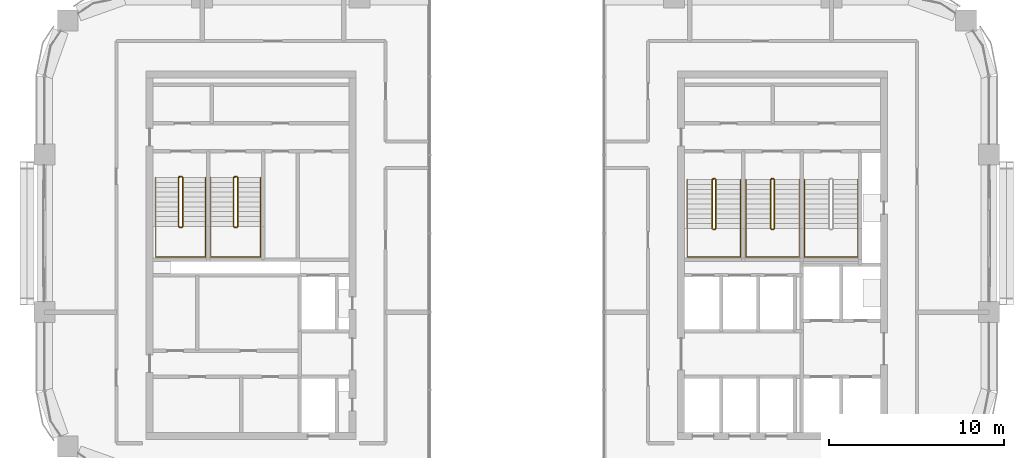
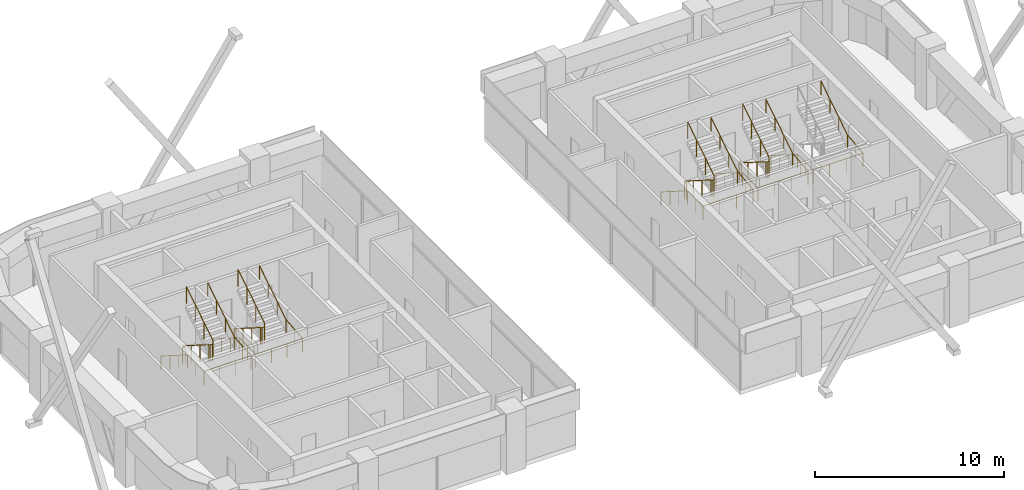
# One storey, part 13 of 14: 9 railings.
"""IFC4 building model written with IfcOpenShell, lengths in metres."""

from ifc_helpers import new_model, si_unit, direction, frame, origin, origin_2d, place, context, subcontext, project, spatial, circle, extrude, material, type_object, element, save


model = new_model("IFC4")

# Units and contexts
model_context = context("Model", 3, precision=1e-05, world=origin(), true_north=direction((0.0, 1.0)))
body_context = subcontext(model_context, "Body", "Model", "MODEL_VIEW")
ifc_project = project(units=[si_unit("LENGTHUNIT", "METRE"), si_unit("AREAUNIT", "SQUARE_METRE"), si_unit("VOLUMEUNIT", "CUBIC_METRE"), si_unit("PLANEANGLEUNIT", "RADIAN"), si_unit("MASSUNIT", "GRAM", prefix="KILO")], contexts=[model_context])

# Site, building, storey
site_placement = place(None, origin())
site = spatial("IfcSite", under=ifc_project, at=site_placement, CompositionType="ELEMENT")
building_placement = place(site_placement, origin())
building = spatial("IfcBuilding", under=site, at=building_placement, Name="Tessera Arch", CompositionType="ELEMENT")
storey_placement = place(building_placement, frame((0.0, 0.0, 215.0)))
storey = spatial("IfcBuildingStorey", under=building, at=storey_placement, Name="L51", CompositionType="ELEMENT", Elevation=215.0)

# Railings
ifc_material_1 = material(Name="Painted steel balustrade", Category="steel")
railing_type_1 = type_object("IfcRailingType", Name="Stair guard 1100", PredefinedType="GUARDRAIL", material=ifc_material_1)
railing_1_placement = place(storey_placement, frame((38.219970703125, 43.6298828125, 0.0)))
element("IfcRailing", 1, at=railing_1_placement, inside=storey, type_object=railing_type_1, Name="L51 S1a stair guard 1", PredefinedType="GUARDRAIL", context=body_context, shape_type="SweptSolid", body=[
    extrude(circle(Radius=0.02392578125, at=origin_2d()), frame((-0.00390625, 0.0, 1.076171875), z_axis=(1.0, 0.0, 0.0), x_axis=(0.0, 1.0, 0.0)), (0.0, 0.0, 1.0), 0.1181640625),
    extrude(circle(Radius=0.02392578125, at=origin_2d()), frame((0.11279296875, 0.000732421875, 1.0732421875), z_axis=(-0.656319048605, -0.204099216335, 0.726353093426), x_axis=(0.296948579431, -0.954893471113, 0.0)), (0.0, 0.0, 1.0), 0.251953125),
    extrude(circle(Radius=0.02392578125, at=origin_2d()), frame((-0.050048828125, -0.04638671875, 1.251220703125), z_axis=(0.0, -0.844908973607, 0.534910110503), x_axis=(1.0, 0.0, 0.0)), (0.0, 0.0, 1.0), 3.322021484375),
    extrude(circle(Radius=0.02392578125, at=origin_2d()), frame((-0.052978515625, -2.846923828125, 3.02587890625), z_axis=(0.707106781187, -0.707106781187, 0.0), x_axis=(0.707106781187, 0.707106781187, 0.0)), (0.0, 0.0, 1.0), 0.078857421875),
    extrude(circle(Radius=0.02392578125, at=origin_2d()), frame((-0.00390625, -2.89990234375, 3.02587890625), z_axis=(1.0, 0.0, 0.0), x_axis=(0.0, 1.0, 0.0)), (0.0, 0.0, 1.0), 0.1181640625),
    extrude(circle(Radius=0.02392578125, at=origin_2d()), frame((0.109130859375, -2.90087890625, 3.022216796875), z_axis=(0.261041864531, 0.262321481514, 0.929001929653), x_axis=(-0.708833529934, 0.705375805398, 0.0)), (0.0, 0.0, 1.0), 0.19873046875),
    extrude(circle(Radius=0.02392578125, at=origin_2d()), frame((0.159912109375, -2.853271484375, 3.201171875), z_axis=(0.0, 0.844908973607, 0.534910110503), x_axis=(-1.0, 0.0, 0.0)), (0.0, 0.0, 1.0), 3.322021484375),
    extrude(circle(Radius=0.02099609375, at=origin_2d()), origin(), (0.0, 0.0, 1.0), 1.06396484375),
    extrude(circle(Radius=0.02099609375, at=origin_2d()), frame((0.110107421875, 0.0, 0.0)), (0.0, 0.0, 1.0), 1.06396484375),
    extrude(circle(Radius=0.02099609375, at=origin_2d()), frame((-0.050048828125, -0.0498046875, 0.17724609375)), (0.0, 0.0, 1.0), 1.06396484375),
    extrude(circle(Radius=0.02099609375, at=origin_2d()), frame((-0.050048828125, -0.983154296875, 0.76806640625)), (0.0, 0.0, 1.0), 1.06396484375),
    extrude(circle(Radius=0.02099609375, at=origin_2d()), frame((-0.050048828125, -1.91650390625, 1.359130859375)), (0.0, 0.0, 1.0), 1.06396484375),
    extrude(circle(Radius=0.02099609375, at=origin_2d()), frame((-0.050048828125, -2.849853515625, 1.949951171875)), (0.0, 0.0, 1.0), 1.06396484375),
    extrude(circle(Radius=0.02099609375, at=origin_2d()), frame((0.0, -2.89990234375, 1.949951171875)), (0.0, 0.0, 1.0), 1.06396484375),
    extrude(circle(Radius=0.02099609375, at=origin_2d()), frame((0.110107421875, -2.89990234375, 1.949951171875)), (0.0, 0.0, 1.0), 1.06396484375),
    extrude(circle(Radius=0.02099609375, at=origin_2d()), frame((0.159912109375, -2.849853515625, 2.127197265625)), (0.0, 0.0, 1.0), 1.06396484375),
    extrude(circle(Radius=0.02099609375, at=origin_2d()), frame((0.159912109375, -1.91650390625, 2.718017578125)), (0.0, 0.0, 1.0), 1.06396484375),
    extrude(circle(Radius=0.02099609375, at=origin_2d()), frame((0.159912109375, -0.983154296875, 3.30908203125)), (0.0, 0.0, 1.0), 1.06396484375),
    extrude(circle(Radius=0.02099609375, at=origin_2d()), frame((0.159912109375, -0.0498046875, 3.89990234375)), (0.0, 0.0, 1.0), 1.06396484375),
])
railing_2_placement = place(storey_placement, frame((41.570068359375, 43.6298828125, 0.0)))
element("IfcRailing", 2, at=railing_2_placement, inside=storey, type_object=railing_type_1, Name="L51 S1b stair guard 1", PredefinedType="GUARDRAIL", context=body_context, shape_type="SweptSolid", body=[
    extrude(circle(Radius=0.02392578125, at=origin_2d()), frame((-0.00390625, 0.0, 1.076171875), z_axis=(1.0, 0.0, 0.0), x_axis=(0.0, 1.0, 0.0)), (0.0, 0.0, 1.0), 0.117919921875),
    extrude(circle(Radius=0.02392578125, at=origin_2d()), frame((0.112548828125, 0.000732421875, 1.0732421875), z_axis=(-0.65574896516, -0.204233265485, 0.726830150696), x_axis=(0.297361876254, -0.954764847777, 0.0)), (0.0, 0.0, 1.0), 0.251953125),
    extrude(circle(Radius=0.02392578125, at=origin_2d()), frame((-0.050048828125, -0.04638671875, 1.251220703125), z_axis=(0.0, -0.844908973607, 0.534910110503), x_axis=(1.0, 0.0, 0.0)), (0.0, 0.0, 1.0), 3.322021484375),
    extrude(circle(Radius=0.02392578125, at=origin_2d()), frame((-0.052978515625, -2.846923828125, 3.02587890625), z_axis=(0.707106781187, -0.707106781187, 0.0), x_axis=(0.707106781187, 0.707106781187, 0.0)), (0.0, 0.0, 1.0), 0.078857421875),
    extrude(circle(Radius=0.02392578125, at=origin_2d()), frame((-0.00390625, -2.89990234375, 3.02587890625), z_axis=(1.0, 0.0, 0.0), x_axis=(0.0, 1.0, 0.0)), (0.0, 0.0, 1.0), 0.117919921875),
    extrude(circle(Radius=0.02392578125, at=origin_2d()), frame((0.10888671875, -2.90087890625, 3.022216796875), z_axis=(0.262233686654, 0.262233686654, 0.928691007369), x_axis=(-0.707106781187, 0.707106781187, 0.0)), (0.0, 0.0, 1.0), 0.198974609375),
    extrude(circle(Radius=0.02392578125, at=origin_2d()), frame((0.159912109375, -2.853271484375, 3.201171875), z_axis=(0.0, 0.844908973607, 0.534910110503), x_axis=(-1.0, 0.0, 0.0)), (0.0, 0.0, 1.0), 3.322021484375),
    extrude(circle(Radius=0.02099609375, at=origin_2d()), origin(), (0.0, 0.0, 1.0), 1.06396484375),
    extrude(circle(Radius=0.02099609375, at=origin_2d()), frame((0.10986328125, 0.0, 0.0)), (0.0, 0.0, 1.0), 1.06396484375),
    extrude(circle(Radius=0.02099609375, at=origin_2d()), frame((-0.050048828125, -0.0498046875, 0.17724609375)), (0.0, 0.0, 1.0), 1.06396484375),
    extrude(circle(Radius=0.02099609375, at=origin_2d()), frame((-0.050048828125, -0.983154296875, 0.76806640625)), (0.0, 0.0, 1.0), 1.06396484375),
    extrude(circle(Radius=0.02099609375, at=origin_2d()), frame((-0.050048828125, -1.91650390625, 1.359130859375)), (0.0, 0.0, 1.0), 1.06396484375),
    extrude(circle(Radius=0.02099609375, at=origin_2d()), frame((-0.050048828125, -2.849853515625, 1.949951171875)), (0.0, 0.0, 1.0), 1.06396484375),
    extrude(circle(Radius=0.02099609375, at=origin_2d()), frame((0.0, -2.89990234375, 1.949951171875)), (0.0, 0.0, 1.0), 1.06396484375),
    extrude(circle(Radius=0.02099609375, at=origin_2d()), frame((0.10986328125, -2.89990234375, 1.949951171875)), (0.0, 0.0, 1.0), 1.06396484375),
    extrude(circle(Radius=0.02099609375, at=origin_2d()), frame((0.159912109375, -2.849853515625, 2.127197265625)), (0.0, 0.0, 1.0), 1.06396484375),
    extrude(circle(Radius=0.02099609375, at=origin_2d()), frame((0.159912109375, -1.91650390625, 2.718017578125)), (0.0, 0.0, 1.0), 1.06396484375),
    extrude(circle(Radius=0.02099609375, at=origin_2d()), frame((0.159912109375, -0.983154296875, 3.30908203125)), (0.0, 0.0, 1.0), 1.06396484375),
    extrude(circle(Radius=0.02099609375, at=origin_2d()), frame((0.159912109375, -0.0498046875, 3.89990234375)), (0.0, 0.0, 1.0), 1.06396484375),
])
railing_3_placement = place(storey_placement, frame((7.699951171875, 43.75, 0.0)))
element("IfcRailing", 3, at=railing_3_placement, inside=storey, type_object=railing_type_1, Name="L51 S2a stair guard 1", PredefinedType="GUARDRAIL", context=body_context, shape_type="SweptSolid", body=[
    extrude(circle(Radius=0.02392578125, at=origin_2d()), frame((-0.00390625, 0.0, 1.076171875), z_axis=(1.0, 0.0, 0.0), x_axis=(0.0, 1.0, 0.0)), (0.0, 0.0, 1.0), 0.158203125),
    extrude(circle(Radius=0.02392578125, at=origin_2d()), frame((0.153076171875, 0.000732421875, 1.073486328125), z_axis=(-0.735936453418, -0.183984113355, 0.651573006319), x_axis=(0.242535625036, -0.970142500145, 0.0)), (0.0, 0.0, 1.0), 0.280029296875),
    extrude(circle(Radius=0.02392578125, at=origin_2d()), frame((-0.050048828125, -0.046630859375, 1.251220703125), z_axis=(0.0, -0.844908973607, 0.534910110503), x_axis=(1.0, 0.0, 0.0)), (0.0, 0.0, 1.0), 3.322021484375),
    extrude(circle(Radius=0.02392578125, at=origin_2d()), frame((-0.052978515625, -2.84716796875, 3.02587890625), z_axis=(0.708833529934, -0.705375805398, 0.0), x_axis=(0.705375805398, 0.708833529934, 0.0)), (0.0, 0.0, 1.0), 0.07861328125),
    extrude(circle(Radius=0.02392578125, at=origin_2d()), frame((-0.00390625, -2.89990234375, 3.02587890625), z_axis=(1.0, 0.0, 0.0), x_axis=(0.0, 1.0, 0.0)), (0.0, 0.0, 1.0), 0.158203125),
    extrude(circle(Radius=0.02392578125, at=origin_2d()), frame((0.149169921875, -2.90087890625, 3.022216796875), z_axis=(0.261129318932, 0.261129318932, 0.929313164433), x_axis=(-0.707106781187, 0.707106781187, 0.0)), (0.0, 0.0, 1.0), 0.19873046875),
    extrude(circle(Radius=0.02392578125, at=origin_2d()), frame((0.199951171875, -2.853515625, 3.201171875), z_axis=(0.0, 0.844908973607, 0.534910110503), x_axis=(-1.0, 0.0, 0.0)), (0.0, 0.0, 1.0), 3.322021484375),
    extrude(circle(Radius=0.02099609375, at=origin_2d()), origin(), (0.0, 0.0, 1.0), 1.06396484375),
    extrude(circle(Radius=0.02099609375, at=origin_2d()), frame((0.150146484375, 0.0, 0.0)), (0.0, 0.0, 1.0), 1.06396484375),
    extrude(circle(Radius=0.02099609375, at=origin_2d()), frame((-0.050048828125, -0.050048828125, 0.17724609375)), (0.0, 0.0, 1.0), 1.06396484375),
    extrude(circle(Radius=0.02099609375, at=origin_2d()), frame((-0.050048828125, -0.9833984375, 0.76806640625)), (0.0, 0.0, 1.0), 1.06396484375),
    extrude(circle(Radius=0.02099609375, at=origin_2d()), frame((-0.050048828125, -1.916748046875, 1.359130859375)), (0.0, 0.0, 1.0), 1.06396484375),
    extrude(circle(Radius=0.02099609375, at=origin_2d()), frame((-0.050048828125, -2.85009765625, 1.949951171875)), (0.0, 0.0, 1.0), 1.06396484375),
    extrude(circle(Radius=0.02099609375, at=origin_2d()), frame((0.0, -2.89990234375, 1.949951171875)), (0.0, 0.0, 1.0), 1.06396484375),
    extrude(circle(Radius=0.02099609375, at=origin_2d()), frame((0.150146484375, -2.89990234375, 1.949951171875)), (0.0, 0.0, 1.0), 1.06396484375),
    extrude(circle(Radius=0.02099609375, at=origin_2d()), frame((0.199951171875, -2.85009765625, 2.127197265625)), (0.0, 0.0, 1.0), 1.06396484375),
    extrude(circle(Radius=0.02099609375, at=origin_2d()), frame((0.199951171875, -1.916748046875, 2.718017578125)), (0.0, 0.0, 1.0), 1.06396484375),
    extrude(circle(Radius=0.02099609375, at=origin_2d()), frame((0.199951171875, -0.9833984375, 3.30908203125)), (0.0, 0.0, 1.0), 1.06396484375),
    extrude(circle(Radius=0.02099609375, at=origin_2d()), frame((0.199951171875, -0.050048828125, 3.89990234375)), (0.0, 0.0, 1.0), 1.06396484375),
])
railing_4_placement = place(storey_placement, frame((10.85009765625, 43.75, 0.0)))
element("IfcRailing", 4, at=railing_4_placement, inside=storey, type_object=railing_type_1, Name="L51 S2b stair guard 1", PredefinedType="GUARDRAIL", context=body_context, shape_type="SweptSolid", body=[
    extrude(circle(Radius=0.02392578125, at=origin_2d()), frame((-0.00390625, 0.0, 1.076171875), z_axis=(1.0, 0.0, 0.0), x_axis=(0.0, 1.0, 0.0)), (0.0, 0.0, 1.0), 0.157958984375),
    extrude(circle(Radius=0.02392578125, at=origin_2d()), frame((0.15283203125, 0.000732421875, 1.073486328125), z_axis=(-0.735524641326, -0.184105679453, 0.652003528208), x_axis=(0.242814311512, -0.970072785993, 0.0)), (0.0, 0.0, 1.0), 0.27978515625),
    extrude(circle(Radius=0.02392578125, at=origin_2d()), frame((-0.050048828125, -0.046630859375, 1.251220703125), z_axis=(0.0, -0.844908973607, 0.534910110503), x_axis=(1.0, 0.0, 0.0)), (0.0, 0.0, 1.0), 3.322021484375),
    extrude(circle(Radius=0.02392578125, at=origin_2d()), frame((-0.052978515625, -2.84716796875, 3.02587890625), z_axis=(0.708833529934, -0.705375805398, 0.0), x_axis=(0.705375805398, 0.708833529934, 0.0)), (0.0, 0.0, 1.0), 0.07861328125),
    extrude(circle(Radius=0.02392578125, at=origin_2d()), frame((-0.00390625, -2.89990234375, 3.02587890625), z_axis=(1.0, 0.0, 0.0), x_axis=(0.0, 1.0, 0.0)), (0.0, 0.0, 1.0), 0.157958984375),
    extrude(circle(Radius=0.02392578125, at=origin_2d()), frame((0.14892578125, -2.90087890625, 3.022216796875), z_axis=(0.262321481514, 0.261041864531, 0.929001929653), x_axis=(-0.705375805398, 0.708833529934, 0.0)), (0.0, 0.0, 1.0), 0.19873046875),
    extrude(circle(Radius=0.02392578125, at=origin_2d()), frame((0.199951171875, -2.853515625, 3.201171875), z_axis=(0.0, 0.844908973607, 0.534910110503), x_axis=(-1.0, 0.0, 0.0)), (0.0, 0.0, 1.0), 3.322021484375),
    extrude(circle(Radius=0.02099609375, at=origin_2d()), origin(), (0.0, 0.0, 1.0), 1.06396484375),
    extrude(circle(Radius=0.02099609375, at=origin_2d()), frame((0.14990234375, 0.0, 0.0)), (0.0, 0.0, 1.0), 1.06396484375),
    extrude(circle(Radius=0.02099609375, at=origin_2d()), frame((-0.050048828125, -0.050048828125, 0.17724609375)), (0.0, 0.0, 1.0), 1.06396484375),
    extrude(circle(Radius=0.02099609375, at=origin_2d()), frame((-0.050048828125, -0.9833984375, 0.76806640625)), (0.0, 0.0, 1.0), 1.06396484375),
    extrude(circle(Radius=0.02099609375, at=origin_2d()), frame((-0.050048828125, -1.916748046875, 1.359130859375)), (0.0, 0.0, 1.0), 1.06396484375),
    extrude(circle(Radius=0.02099609375, at=origin_2d()), frame((-0.050048828125, -2.85009765625, 1.949951171875)), (0.0, 0.0, 1.0), 1.06396484375),
    extrude(circle(Radius=0.02099609375, at=origin_2d()), frame((0.0, -2.89990234375, 1.949951171875)), (0.0, 0.0, 1.0), 1.06396484375),
    extrude(circle(Radius=0.02099609375, at=origin_2d()), frame((0.14990234375, -2.89990234375, 1.949951171875)), (0.0, 0.0, 1.0), 1.06396484375),
    extrude(circle(Radius=0.02099609375, at=origin_2d()), frame((0.199951171875, -2.85009765625, 2.127197265625)), (0.0, 0.0, 1.0), 1.06396484375),
    extrude(circle(Radius=0.02099609375, at=origin_2d()), frame((0.199951171875, -1.916748046875, 2.718017578125)), (0.0, 0.0, 1.0), 1.06396484375),
    extrude(circle(Radius=0.02099609375, at=origin_2d()), frame((0.199951171875, -0.9833984375, 3.30908203125)), (0.0, 0.0, 1.0), 1.06396484375),
    extrude(circle(Radius=0.02099609375, at=origin_2d()), frame((0.199951171875, -0.050048828125, 3.89990234375)), (0.0, 0.0, 1.0), 1.06396484375),
])
ifc_material_2 = material(Name="Painted steel handrail", Category="steel")
railing_type_2 = type_object("IfcRailingType", Name="Stair handrail 900", PredefinedType="HANDRAIL", material=ifc_material_2)
railing_5_placement = place(storey_placement, frame((36.75, 43.580078125, 0.17724609375)))
element("IfcRailing", 5, at=railing_5_placement, inside=storey, type_object=railing_type_2, Name="L51 S1a stair handrail", PredefinedType="HANDRAIL", context=body_context, shape_type="SweptSolid", body=[
    extrude(circle(Radius=0.02392578125, at=origin_2d()), frame((0.0, 0.00341796875, 0.873779296875), z_axis=(0.0, -0.844908973607, 0.534910110503), x_axis=(1.0, 0.0, 0.0)), (0.0, 0.0, 1.0), 3.322021484375),
    extrude(circle(Radius=0.02392578125, at=origin_2d()), frame((0.0, -2.796142578125, 2.6484375), z_axis=(0.0, -1.0, 0.0), x_axis=(1.0, 0.0, 0.0)), (0.0, 0.0, 1.0), 1.63818359375),
    extrude(circle(Radius=0.02392578125, at=origin_2d()), frame((-0.00390625, -4.43017578125, 2.6484375), z_axis=(1.0, 0.0, 0.0), x_axis=(0.0, 1.0, 0.0)), (0.0, 0.0, 1.0), 3.05810546875),
    extrude(circle(Radius=0.02392578125, at=origin_2d()), frame((3.050048828125, -4.43408203125, 2.648193359375), z_axis=(0.0, 0.994140637614, 0.108094369164), x_axis=(-1.0, 0.0, 0.0)), (0.0, 0.0, 1.0), 1.647705078125),
    extrude(circle(Radius=0.02392578125, at=origin_2d()), frame((3.050048828125, -2.803466796875, 2.82373046875), z_axis=(0.0, 0.844908973607, 0.534910110503), x_axis=(-1.0, 0.0, 0.0)), (0.0, 0.0, 1.0), 3.322021484375),
    extrude(circle(Radius=0.02099609375, at=origin_2d()), origin(), (0.0, 0.0, 1.0), 0.86376953125),
    extrude(circle(Radius=0.02099609375, at=origin_2d()), frame((0.0, -0.933349609375, 0.5908203125)), (0.0, 0.0, 1.0), 0.86376953125),
    extrude(circle(Radius=0.02099609375, at=origin_2d()), frame((0.0, -1.86669921875, 1.181884765625)), (0.0, 0.0, 1.0), 0.86376953125),
    extrude(circle(Radius=0.02099609375, at=origin_2d()), frame((0.0, -2.800048828125, 1.772705078125)), (0.0, 0.0, 1.0), 0.86376953125),
    extrude(circle(Radius=0.02099609375, at=origin_2d()), frame((0.0, -3.615234375, 1.772705078125)), (0.0, 0.0, 1.0), 0.86376953125),
    extrude(circle(Radius=0.02099609375, at=origin_2d()), frame((0.0, -4.43017578125, 1.772705078125)), (0.0, 0.0, 1.0), 0.86376953125),
    extrude(circle(Radius=0.02099609375, at=origin_2d()), frame((1.0166015625, -4.43017578125, 1.772705078125)), (0.0, 0.0, 1.0), 0.86376953125),
    extrude(circle(Radius=0.02099609375, at=origin_2d()), frame((2.033447265625, -4.43017578125, 1.772705078125)), (0.0, 0.0, 1.0), 0.86376953125),
    extrude(circle(Radius=0.02099609375, at=origin_2d()), frame((3.050048828125, -4.43017578125, 1.772705078125)), (0.0, 0.0, 1.0), 0.86376953125),
    extrude(circle(Radius=0.02099609375, at=origin_2d()), frame((3.050048828125, -3.615234375, 1.861328125)), (0.0, 0.0, 1.0), 0.86376953125),
    extrude(circle(Radius=0.02099609375, at=origin_2d()), frame((3.050048828125, -2.800048828125, 1.949951171875)), (0.0, 0.0, 1.0), 0.86376953125),
    extrude(circle(Radius=0.02099609375, at=origin_2d()), frame((3.050048828125, -1.86669921875, 2.540771484375)), (0.0, 0.0, 1.0), 0.86376953125),
    extrude(circle(Radius=0.02099609375, at=origin_2d()), frame((3.050048828125, -0.933349609375, 3.1318359375)), (0.0, 0.0, 1.0), 0.86376953125),
    extrude(circle(Radius=0.02099609375, at=origin_2d()), frame((3.050048828125, 0.0, 3.72265625)), (0.0, 0.0, 1.0), 0.86376953125),
])
railing_6_placement = place(storey_placement, frame((40.10009765625, 43.580078125, 0.17724609375)))
element("IfcRailing", 6, at=railing_6_placement, inside=storey, type_object=railing_type_2, Name="L51 S1b stair handrail", PredefinedType="HANDRAIL", context=body_context, shape_type="SweptSolid", body=[
    extrude(circle(Radius=0.02392578125, at=origin_2d()), frame((0.0, 0.00341796875, 0.873779296875), z_axis=(0.0, -0.844908973607, 0.534910110503), x_axis=(1.0, 0.0, 0.0)), (0.0, 0.0, 1.0), 3.322021484375),
    extrude(circle(Radius=0.02392578125, at=origin_2d()), frame((0.0, -2.796142578125, 2.6484375), z_axis=(0.0, -1.0, 0.0), x_axis=(1.0, 0.0, 0.0)), (0.0, 0.0, 1.0), 1.63818359375),
    extrude(circle(Radius=0.02392578125, at=origin_2d()), frame((-0.00390625, -4.43017578125, 2.6484375), z_axis=(1.0, 0.0, 0.0), x_axis=(0.0, 1.0, 0.0)), (0.0, 0.0, 1.0), 3.057861328125),
    extrude(circle(Radius=0.02392578125, at=origin_2d()), frame((3.0498046875, -4.43408203125, 2.648193359375), z_axis=(0.0, 0.994140637614, 0.108094369164), x_axis=(-1.0, 0.0, 0.0)), (0.0, 0.0, 1.0), 1.647705078125),
    extrude(circle(Radius=0.02392578125, at=origin_2d()), frame((3.0498046875, -2.803466796875, 2.82373046875), z_axis=(0.0, 0.844908973607, 0.534910110503), x_axis=(-1.0, 0.0, 0.0)), (0.0, 0.0, 1.0), 3.322021484375),
    extrude(circle(Radius=0.02099609375, at=origin_2d()), origin(), (0.0, 0.0, 1.0), 0.86376953125),
    extrude(circle(Radius=0.02099609375, at=origin_2d()), frame((0.0, -0.933349609375, 0.5908203125)), (0.0, 0.0, 1.0), 0.86376953125),
    extrude(circle(Radius=0.02099609375, at=origin_2d()), frame((0.0, -1.86669921875, 1.181884765625)), (0.0, 0.0, 1.0), 0.86376953125),
    extrude(circle(Radius=0.02099609375, at=origin_2d()), frame((0.0, -2.800048828125, 1.772705078125)), (0.0, 0.0, 1.0), 0.86376953125),
    extrude(circle(Radius=0.02099609375, at=origin_2d()), frame((0.0, -3.615234375, 1.772705078125)), (0.0, 0.0, 1.0), 0.86376953125),
    extrude(circle(Radius=0.02099609375, at=origin_2d()), frame((0.0, -4.43017578125, 1.772705078125)), (0.0, 0.0, 1.0), 0.86376953125),
    extrude(circle(Radius=0.02099609375, at=origin_2d()), frame((1.0166015625, -4.43017578125, 1.772705078125)), (0.0, 0.0, 1.0), 0.86376953125),
    extrude(circle(Radius=0.02099609375, at=origin_2d()), frame((2.033203125, -4.43017578125, 1.772705078125)), (0.0, 0.0, 1.0), 0.86376953125),
    extrude(circle(Radius=0.02099609375, at=origin_2d()), frame((3.0498046875, -4.43017578125, 1.772705078125)), (0.0, 0.0, 1.0), 0.86376953125),
    extrude(circle(Radius=0.02099609375, at=origin_2d()), frame((3.0498046875, -3.615234375, 1.861328125)), (0.0, 0.0, 1.0), 0.86376953125),
    extrude(circle(Radius=0.02099609375, at=origin_2d()), frame((3.0498046875, -2.800048828125, 1.949951171875)), (0.0, 0.0, 1.0), 0.86376953125),
    extrude(circle(Radius=0.02099609375, at=origin_2d()), frame((3.0498046875, -1.86669921875, 2.540771484375)), (0.0, 0.0, 1.0), 0.86376953125),
    extrude(circle(Radius=0.02099609375, at=origin_2d()), frame((3.0498046875, -0.933349609375, 3.1318359375)), (0.0, 0.0, 1.0), 0.86376953125),
    extrude(circle(Radius=0.02099609375, at=origin_2d()), frame((3.0498046875, 0.0, 3.72265625)), (0.0, 0.0, 1.0), 0.86376953125),
])
railing_7_placement = place(storey_placement, frame((43.449951171875, 43.580078125, 0.17724609375)))
element("IfcRailing", 7, at=railing_7_placement, inside=storey, type_object=railing_type_2, Name="L51 S1c stair handrail", PredefinedType="HANDRAIL", context=body_context, shape_type="SweptSolid", body=[
    extrude(circle(Radius=0.02392578125, at=origin_2d()), frame((0.0, 0.00341796875, 0.873779296875), z_axis=(0.0, -0.844908973607, 0.534910110503), x_axis=(1.0, 0.0, 0.0)), (0.0, 0.0, 1.0), 3.322021484375),
    extrude(circle(Radius=0.02392578125, at=origin_2d()), frame((0.0, -2.796142578125, 2.6484375), z_axis=(0.0, -1.0, 0.0), x_axis=(1.0, 0.0, 0.0)), (0.0, 0.0, 1.0), 1.63818359375),
    extrude(circle(Radius=0.02392578125, at=origin_2d()), frame((-0.00390625, -4.43017578125, 2.6484375), z_axis=(1.0, 0.0, 0.0), x_axis=(0.0, 1.0, 0.0)), (0.0, 0.0, 1.0), 3.05810546875),
    extrude(circle(Radius=0.02392578125, at=origin_2d()), frame((3.050048828125, -4.43408203125, 2.648193359375), z_axis=(0.0, 0.994140637614, 0.108094369164), x_axis=(-1.0, 0.0, 0.0)), (0.0, 0.0, 1.0), 1.647705078125),
    extrude(circle(Radius=0.02392578125, at=origin_2d()), frame((3.050048828125, -2.803466796875, 2.82373046875), z_axis=(0.0, 0.844908973607, 0.534910110503), x_axis=(-1.0, 0.0, 0.0)), (0.0, 0.0, 1.0), 3.322021484375),
    extrude(circle(Radius=0.02099609375, at=origin_2d()), origin(), (0.0, 0.0, 1.0), 0.86376953125),
    extrude(circle(Radius=0.02099609375, at=origin_2d()), frame((0.0, -0.933349609375, 0.5908203125)), (0.0, 0.0, 1.0), 0.86376953125),
    extrude(circle(Radius=0.02099609375, at=origin_2d()), frame((0.0, -1.86669921875, 1.181884765625)), (0.0, 0.0, 1.0), 0.86376953125),
    extrude(circle(Radius=0.02099609375, at=origin_2d()), frame((0.0, -2.800048828125, 1.772705078125)), (0.0, 0.0, 1.0), 0.86376953125),
    extrude(circle(Radius=0.02099609375, at=origin_2d()), frame((0.0, -3.615234375, 1.772705078125)), (0.0, 0.0, 1.0), 0.86376953125),
    extrude(circle(Radius=0.02099609375, at=origin_2d()), frame((0.0, -4.43017578125, 1.772705078125)), (0.0, 0.0, 1.0), 0.86376953125),
    extrude(circle(Radius=0.02099609375, at=origin_2d()), frame((1.0166015625, -4.43017578125, 1.772705078125)), (0.0, 0.0, 1.0), 0.86376953125),
    extrude(circle(Radius=0.02099609375, at=origin_2d()), frame((2.033447265625, -4.43017578125, 1.772705078125)), (0.0, 0.0, 1.0), 0.86376953125),
    extrude(circle(Radius=0.02099609375, at=origin_2d()), frame((3.050048828125, -4.43017578125, 1.772705078125)), (0.0, 0.0, 1.0), 0.86376953125),
    extrude(circle(Radius=0.02099609375, at=origin_2d()), frame((3.050048828125, -3.615234375, 1.861328125)), (0.0, 0.0, 1.0), 0.86376953125),
    extrude(circle(Radius=0.02099609375, at=origin_2d()), frame((3.050048828125, -2.800048828125, 1.949951171875)), (0.0, 0.0, 1.0), 0.86376953125),
    extrude(circle(Radius=0.02099609375, at=origin_2d()), frame((3.050048828125, -1.86669921875, 2.540771484375)), (0.0, 0.0, 1.0), 0.86376953125),
    extrude(circle(Radius=0.02099609375, at=origin_2d()), frame((3.050048828125, -0.933349609375, 3.1318359375)), (0.0, 0.0, 1.0), 0.86376953125),
    extrude(circle(Radius=0.02099609375, at=origin_2d()), frame((3.050048828125, 0.0, 3.72265625)), (0.0, 0.0, 1.0), 0.86376953125),
])
railing_8_placement = place(storey_placement, frame((6.35009765625, 43.699951171875, 0.17724609375)))
element("IfcRailing", 8, at=railing_8_placement, inside=storey, type_object=railing_type_2, Name="L51 S2a stair handrail", PredefinedType="HANDRAIL", context=body_context, shape_type="SweptSolid", body=[
    extrude(circle(Radius=0.02392578125, at=origin_2d()), frame((0.0, 0.00341796875, 0.873779296875), z_axis=(0.0, -0.844908973607, 0.534910110503), x_axis=(1.0, 0.0, 0.0)), (0.0, 0.0, 1.0), 3.322021484375),
    extrude(circle(Radius=0.02392578125, at=origin_2d()), frame((0.0, -2.796142578125, 2.6484375), z_axis=(0.0, -1.0, 0.0), x_axis=(1.0, 0.0, 0.0)), (0.0, 0.0, 1.0), 1.758056640625),
    extrude(circle(Radius=0.02392578125, at=origin_2d()), frame((-0.00390625, -4.550048828125, 2.6484375), z_axis=(1.0, 0.0, 0.0), x_axis=(0.0, 1.0, 0.0)), (0.0, 0.0, 1.0), 2.85791015625),
    extrude(circle(Radius=0.02392578125, at=origin_2d()), frame((2.849853515625, -4.553955078125, 2.648193359375), z_axis=(0.0, 0.994909956378, 0.100767944801), x_axis=(-1.0, 0.0, 0.0)), (0.0, 0.0, 1.0), 1.766845703125),
    extrude(circle(Radius=0.02392578125, at=origin_2d()), frame((2.849853515625, -2.803466796875, 2.82373046875), z_axis=(0.0, 0.844908973607, 0.534910110503), x_axis=(-1.0, 0.0, 0.0)), (0.0, 0.0, 1.0), 3.322021484375),
    extrude(circle(Radius=0.02099609375, at=origin_2d()), origin(), (0.0, 0.0, 1.0), 0.86376953125),
    extrude(circle(Radius=0.02099609375, at=origin_2d()), frame((0.0, -0.933349609375, 0.5908203125)), (0.0, 0.0, 1.0), 0.86376953125),
    extrude(circle(Radius=0.02099609375, at=origin_2d()), frame((0.0, -1.86669921875, 1.181884765625)), (0.0, 0.0, 1.0), 0.86376953125),
    extrude(circle(Radius=0.02099609375, at=origin_2d()), frame((0.0, -2.800048828125, 1.772705078125)), (0.0, 0.0, 1.0), 0.86376953125),
    extrude(circle(Radius=0.02099609375, at=origin_2d()), frame((0.0, -3.675048828125, 1.772705078125)), (0.0, 0.0, 1.0), 0.86376953125),
    extrude(circle(Radius=0.02099609375, at=origin_2d()), frame((0.0, -4.550048828125, 1.772705078125)), (0.0, 0.0, 1.0), 0.86376953125),
    extrude(circle(Radius=0.02099609375, at=origin_2d()), frame((0.949951171875, -4.550048828125, 1.772705078125)), (0.0, 0.0, 1.0), 0.86376953125),
    extrude(circle(Radius=0.02099609375, at=origin_2d()), frame((1.89990234375, -4.550048828125, 1.772705078125)), (0.0, 0.0, 1.0), 0.86376953125),
    extrude(circle(Radius=0.02099609375, at=origin_2d()), frame((2.849853515625, -4.550048828125, 1.772705078125)), (0.0, 0.0, 1.0), 0.86376953125),
    extrude(circle(Radius=0.02099609375, at=origin_2d()), frame((2.849853515625, -3.675048828125, 1.861328125)), (0.0, 0.0, 1.0), 0.86376953125),
    extrude(circle(Radius=0.02099609375, at=origin_2d()), frame((2.849853515625, -2.800048828125, 1.949951171875)), (0.0, 0.0, 1.0), 0.86376953125),
    extrude(circle(Radius=0.02099609375, at=origin_2d()), frame((2.849853515625, -1.86669921875, 2.540771484375)), (0.0, 0.0, 1.0), 0.86376953125),
    extrude(circle(Radius=0.02099609375, at=origin_2d()), frame((2.849853515625, -0.933349609375, 3.1318359375)), (0.0, 0.0, 1.0), 0.86376953125),
    extrude(circle(Radius=0.02099609375, at=origin_2d()), frame((2.849853515625, 0.0, 3.72265625)), (0.0, 0.0, 1.0), 0.86376953125),
])
railing_9_placement = place(storey_placement, frame((9.5, 43.699951171875, 0.17724609375)))
element("IfcRailing", 9, at=railing_9_placement, inside=storey, type_object=railing_type_2, Name="L51 S2b stair handrail", PredefinedType="HANDRAIL", context=body_context, shape_type="SweptSolid", body=[
    extrude(circle(Radius=0.02392578125, at=origin_2d()), frame((0.0, 0.00341796875, 0.873779296875), z_axis=(0.0, -0.844908973607, 0.534910110503), x_axis=(1.0, 0.0, 0.0)), (0.0, 0.0, 1.0), 3.322021484375),
    extrude(circle(Radius=0.02392578125, at=origin_2d()), frame((0.0, -2.796142578125, 2.6484375), z_axis=(0.0, -1.0, 0.0), x_axis=(1.0, 0.0, 0.0)), (0.0, 0.0, 1.0), 1.758056640625),
    extrude(circle(Radius=0.02392578125, at=origin_2d()), frame((-0.00390625, -4.550048828125, 2.6484375), z_axis=(1.0, 0.0, 0.0), x_axis=(0.0, 1.0, 0.0)), (0.0, 0.0, 1.0), 2.858154296875),
    extrude(circle(Radius=0.02392578125, at=origin_2d()), frame((2.85009765625, -4.553955078125, 2.648193359375), z_axis=(0.0, 0.994909956378, 0.100767944801), x_axis=(-1.0, 0.0, 0.0)), (0.0, 0.0, 1.0), 1.766845703125),
    extrude(circle(Radius=0.02392578125, at=origin_2d()), frame((2.85009765625, -2.803466796875, 2.82373046875), z_axis=(0.0, 0.844908973607, 0.534910110503), x_axis=(-1.0, 0.0, 0.0)), (0.0, 0.0, 1.0), 3.322021484375),
    extrude(circle(Radius=0.02099609375, at=origin_2d()), origin(), (0.0, 0.0, 1.0), 0.86376953125),
    extrude(circle(Radius=0.02099609375, at=origin_2d()), frame((0.0, -0.933349609375, 0.5908203125)), (0.0, 0.0, 1.0), 0.86376953125),
    extrude(circle(Radius=0.02099609375, at=origin_2d()), frame((0.0, -1.86669921875, 1.181884765625)), (0.0, 0.0, 1.0), 0.86376953125),
    extrude(circle(Radius=0.02099609375, at=origin_2d()), frame((0.0, -2.800048828125, 1.772705078125)), (0.0, 0.0, 1.0), 0.86376953125),
    extrude(circle(Radius=0.02099609375, at=origin_2d()), frame((0.0, -3.675048828125, 1.772705078125)), (0.0, 0.0, 1.0), 0.86376953125),
    extrude(circle(Radius=0.02099609375, at=origin_2d()), frame((0.0, -4.550048828125, 1.772705078125)), (0.0, 0.0, 1.0), 0.86376953125),
    extrude(circle(Radius=0.02099609375, at=origin_2d()), frame((0.949951171875, -4.550048828125, 1.772705078125)), (0.0, 0.0, 1.0), 0.86376953125),
    extrude(circle(Radius=0.02099609375, at=origin_2d()), frame((1.900146484375, -4.550048828125, 1.772705078125)), (0.0, 0.0, 1.0), 0.86376953125),
    extrude(circle(Radius=0.02099609375, at=origin_2d()), frame((2.85009765625, -4.550048828125, 1.772705078125)), (0.0, 0.0, 1.0), 0.86376953125),
    extrude(circle(Radius=0.02099609375, at=origin_2d()), frame((2.85009765625, -3.675048828125, 1.861328125)), (0.0, 0.0, 1.0), 0.86376953125),
    extrude(circle(Radius=0.02099609375, at=origin_2d()), frame((2.85009765625, -2.800048828125, 1.949951171875)), (0.0, 0.0, 1.0), 0.86376953125),
    extrude(circle(Radius=0.02099609375, at=origin_2d()), frame((2.85009765625, -1.86669921875, 2.540771484375)), (0.0, 0.0, 1.0), 0.86376953125),
    extrude(circle(Radius=0.02099609375, at=origin_2d()), frame((2.85009765625, -0.933349609375, 3.1318359375)), (0.0, 0.0, 1.0), 0.86376953125),
    extrude(circle(Radius=0.02099609375, at=origin_2d()), frame((2.85009765625, 0.0, 3.72265625)), (0.0, 0.0, 1.0), 0.86376953125),
])

save(model, "model.ifc")
